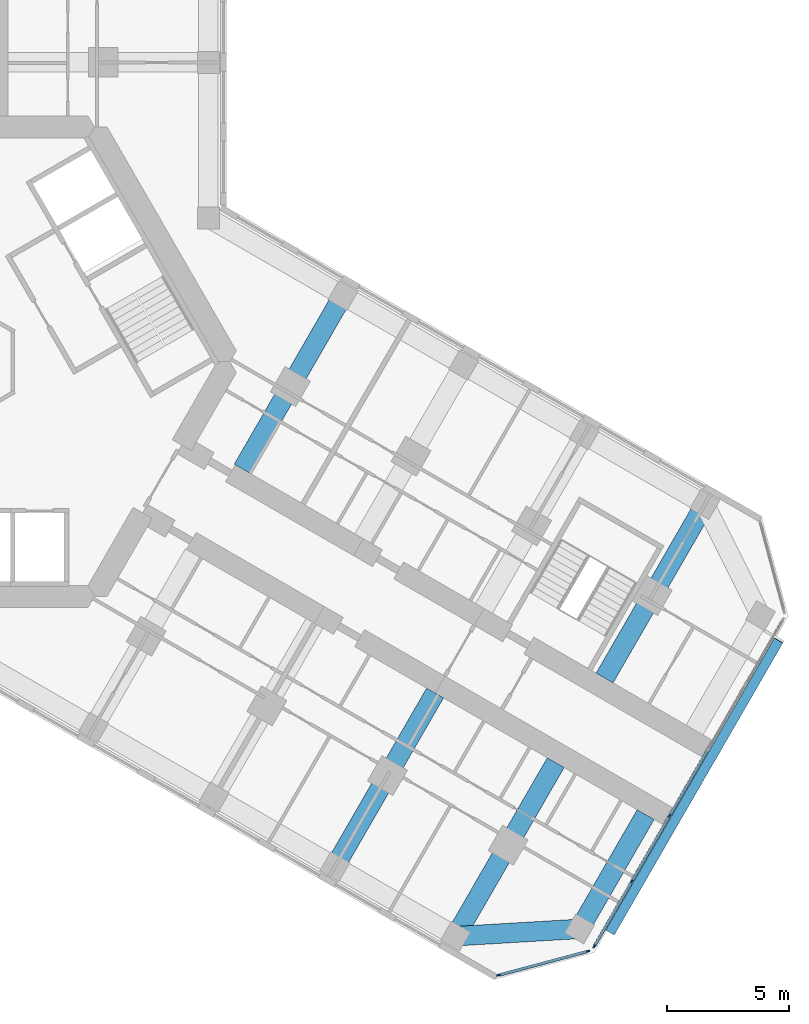
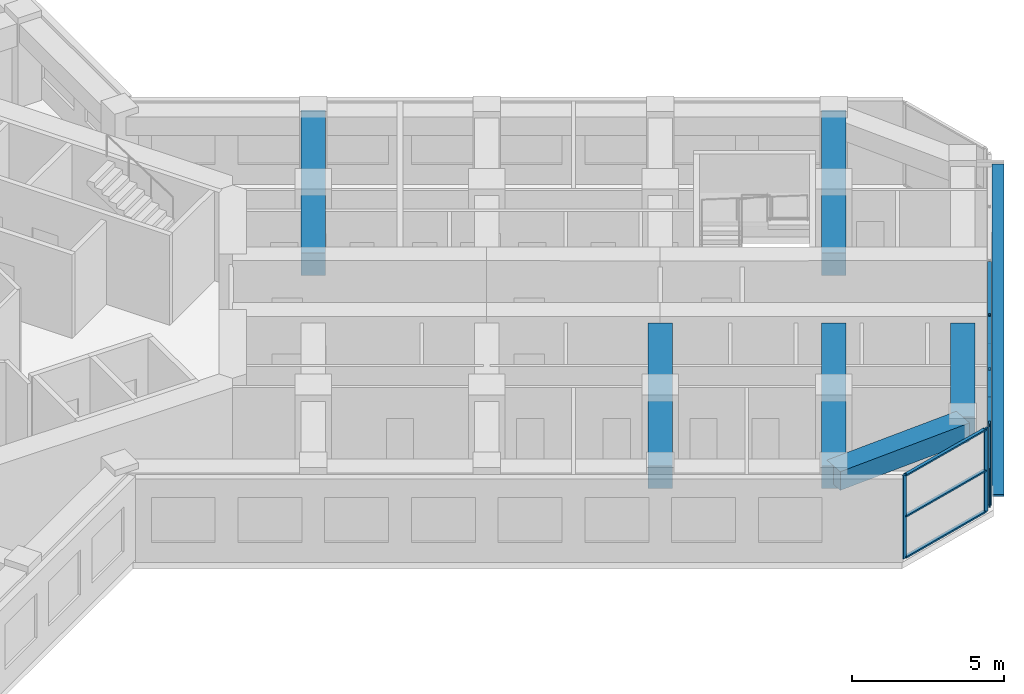
# One storey, part 5 of 19: 15 members, 6 beams, 2 elements without a shape of their own.
"""IFC4 building model written with IfcOpenShell, lengths in metres."""

from ifc_helpers import new_model, si_unit, direction, frame, origin, origin_2d, place, context, subcontext, project, spatial, rectangle, extrude, material, material_profile, profile_set, type_object, element, aggregate, save


model = new_model("IFC4")

# Units and contexts
model_context = context("Model", 3, precision=1e-05, world=origin(), true_north=direction((0.0, 1.0)))
body_context = subcontext(model_context, "Body", "Model", "MODEL_VIEW")
ifc_project = project(units=[si_unit("LENGTHUNIT", "METRE"), si_unit("AREAUNIT", "SQUARE_METRE"), si_unit("VOLUMEUNIT", "CUBIC_METRE"), si_unit("PLANEANGLEUNIT", "RADIAN"), si_unit("MASSUNIT", "GRAM", prefix="KILO")], contexts=[model_context])

# Site, building, storey
site_placement = place(None, origin())
site = spatial("IfcSite", under=ifc_project, at=site_placement, CompositionType="ELEMENT")
building_placement = place(site_placement, origin())
building = spatial("IfcBuilding", under=site, at=building_placement, Name="Kosmar Iwan School Tower", CompositionType="ELEMENT")
storey_placement = place(building_placement, frame((0.0, 0.0, 138.199951171875)))
storey = spatial("IfcBuildingStorey", under=building, at=storey_placement, Name="L34", CompositionType="ELEMENT", Elevation=138.199951171875)

# Member
ifc_material_1 = material(Name="Black anodised aluminium", Category="aluminium")
ifc_material_profile_1 = material_profile(ifc_material_1, rectangle(XDim=0.10009765625, YDim=0.39990234375, at=origin_2d()), Name="FIN 100x400")
ifc_profile_set_1 = profile_set([ifc_material_profile_1], Name="Black anodised aluminium")
member_type_1 = type_object("IfcMemberType", Name="Diagonal fin 100x400", PredefinedType="USERDEFINED", material=ifc_profile_set_1)
member_1_placement = place(storey_placement, frame((26.645263671875, -23.34912109375, -0.14990234375), z_axis=(0.483795538458, 0.837973939202, 0.252470897702), x_axis=(-0.126233699175, -0.218647221293, 0.967604488318)))
element("IfcMember", 1, at=member_1_placement, inside=storey, type_object=member_type_1, Name="Diagonal fin L34-F03", ObjectType="FIN", PredefinedType="USERDEFINED", context=body_context, shape_type="SweptSolid", body=[
    extrude(rectangle(XDim=0.10009765625, YDim=0.39990234375, at=origin_2d()), origin(), (0.0, 0.0, 1.0), 14.258544921875),
])

# Curtain wall, members
ifc_material_2 = material(Name="Dark glass in black aluminium frame", Category="aluminium")
curtain_wall_type_1 = type_object("IfcCurtainWallType", Name="Chamfer curtain wall dark glass", PredefinedType="USERDEFINED", material=ifc_material_2)
curtain_wall_1_placement = place(storey_placement, origin())
curtain_wall_1 = element("IfcCurtainWall", 2, at=curtain_wall_1_placement, inside=storey, type_object=curtain_wall_type_1, Name="Curtain wall L34-F02", ObjectType="FACETED CURTAIN WALL", PredefinedType="USERDEFINED")
ifc_material_3 = material(Name="Black anodised aluminium", Category="aluminium")
ifc_material_profile_2 = material_profile(ifc_material_3, rectangle(XDim=0.06005859375, YDim=0.159912109375, at=origin_2d()), Name="MULLION 60x160")
ifc_profile_set_2 = profile_set([ifc_material_profile_2], Name="Black anodised aluminium")
member_type_2 = type_object("IfcMemberType", Name="Mullion 60x160", PredefinedType="MULLION", material=ifc_profile_set_2)
member_2_placement = place(storey_placement, frame((22.0830078125, -25.102294921875, 0.0), z_axis=(0.0, 0.0, 1.0), x_axis=(-0.258818861462, 0.965925875495, 0.0)))
member_2 = element("IfcMember", 3, at=member_2_placement, type_object=member_type_2, Name="CW2 mullion 1", PredefinedType="MULLION", context=body_context, shape_type="SweptSolid", body=[
    extrude(rectangle(XDim=0.06005859375, YDim=0.159912109375, at=origin_2d()), origin(), (0.0, 0.0, 1.0), 3.35009765625),
])
member_3_placement = place(storey_placement, frame((25.733154296875, -24.124267578125, 0.0), z_axis=(0.0, 0.0, 1.0), x_axis=(-0.258818861462, 0.965925875495, 0.0)))
member_3 = element("IfcMember", 4, at=member_3_placement, type_object=member_type_2, Name="CW2 mullion 2", PredefinedType="MULLION", context=body_context, shape_type="SweptSolid", body=[
    extrude(rectangle(XDim=0.06005859375, YDim=0.159912109375, at=origin_2d()), origin(), (0.0, 0.0, 1.0), 3.35009765625),
])

ifc_material_4 = material(Name="Dark glass in black aluminium frame", Category="aluminium")
curtain_wall_type_2 = type_object("IfcCurtainWallType", Name="Tower curtain wall dark glass", PredefinedType="USERDEFINED", material=ifc_material_4)
curtain_wall_2_placement = place(storey_placement, origin())
curtain_wall_2 = element("IfcCurtainWall", 5, at=curtain_wall_2_placement, inside=storey, type_object=curtain_wall_type_2, Name="Curtain wall L34-F03", ObjectType="UNITISED CURTAIN WALL", PredefinedType="USERDEFINED")
member_4_placement = place(storey_placement, frame((25.9970703125, -23.921630859375, 0.0), z_axis=(0.0, 0.0, 1.0), x_axis=(-0.866025405329, 0.499999997325, 0.0)))
member_4 = element("IfcMember", 6, at=member_4_placement, type_object=member_type_2, Name="CW1 mullion 1", PredefinedType="MULLION", context=body_context, shape_type="SweptSolid", body=[
    extrude(rectangle(XDim=0.06005859375, YDim=0.159912109375, at=origin_2d()), origin(), (0.0, 0.0, 1.0), 3.35009765625),
])
member_5_placement = place(storey_placement, frame((27.53173828125, -21.263671875, 0.0), z_axis=(0.0, 0.0, 1.0), x_axis=(-0.866025405329, 0.499999997325, 0.0)))
member_5 = element("IfcMember", 7, at=member_5_placement, type_object=member_type_2, Name="CW1 mullion 2", PredefinedType="MULLION", context=body_context, shape_type="SweptSolid", body=[
    extrude(rectangle(XDim=0.06005859375, YDim=0.159912109375, at=origin_2d()), origin(), (0.0, 0.0, 1.0), 3.35009765625),
])
member_6_placement = place(storey_placement, frame((29.081298828125, -18.57958984375, 0.0), z_axis=(0.0, 0.0, 1.0), x_axis=(-0.866025405329, 0.499999997325, 0.0)))
member_6 = element("IfcMember", 8, at=member_6_placement, type_object=member_type_2, Name="CW1 mullion 3", PredefinedType="MULLION", context=body_context, shape_type="SweptSolid", body=[
    extrude(rectangle(XDim=0.06005859375, YDim=0.159912109375, at=origin_2d()), origin(), (0.0, 0.0, 1.0), 3.35009765625),
])

# Beams
ifc_material_5 = material(Name="Concrete C50/60", Category="concrete")
ifc_material_profile_3 = material_profile(ifc_material_5, rectangle(XDim=0.800048828125, YDim=0.75, at=origin_2d()), Name="RC 800x750")
ifc_profile_set_3 = profile_set([ifc_material_profile_3], Name="Concrete C50/60")
beam_type_1 = type_object("IfcBeamType", Name="RC tip beam 800x750", PredefinedType="BEAM", material=ifc_profile_set_3)
beam_1_placement = place(storey_placement, frame((20.31787109375, -23.508544921875, 2.97509765625), z_axis=(0.998260616478, 0.058955420358, 0.0), x_axis=(-0.058955420358, 0.998260616478, 0.0)))
element("IfcBeam", 9, at=beam_1_placement, inside=storey, type_object=beam_type_1, Name="Tip beam CR", PredefinedType="BEAM", context=body_context, shape_type="SweptSolid", body=[
    extrude(rectangle(XDim=0.800048828125, YDim=0.75, at=origin_2d()), origin(), (0.0, 0.0, 1.0), 5.08935546875),
])
beam_2_placement = place(storey_placement, frame((25.3984375, -23.20849609375, 2.97509765625), z_axis=(0.499995103361, 0.866028230842, 0.0), x_axis=(-0.866028230842, 0.499995103361, 0.0)))
element("IfcBeam", 10, at=beam_2_placement, inside=storey, type_object=beam_type_1, Name="Tip beam CR to corridor wall", PredefinedType="BEAM", context=body_context, shape_type="SweptSolid", body=[
    extrude(rectangle(XDim=0.800048828125, YDim=0.75, at=origin_2d()), origin(), (0.0, 0.0, 1.0), 5.39990234375),
])
ifc_material_6 = material(Name="Concrete C50/60", Category="concrete")
ifc_material_profile_4 = material_profile(ifc_material_6, rectangle(XDim=0.800048828125, YDim=0.89990234375, at=origin_2d()), Name="RC 800x900")
ifc_profile_set_4 = profile_set([ifc_material_profile_4], Name="Concrete C50/60")
beam_type_2 = type_object("IfcBeamType", Name="RC transverse beam 800x900", PredefinedType="BEAM", material=ifc_profile_set_4)
for number, where, z_axis, x_axis, name in (
    (11, (15.708740234375, 2.70849609375, 2.900146484375), (-0.499978459874, -0.866037839625, 0.0), (0.866037839625, -0.499978459874, 0.0), "Transverse beam CL1"),
    (12, (30.517822265625, -5.841552734375, 2.900146484375), (-0.500013681986, -0.866017504342, 0.0), (0.866017504342, -0.500013681986, 0.0), "Transverse beam CL4"),
    (13, (15.381591796875, -20.658447265625, 2.900146484375), (0.49999135188, 0.866030396721, 0.0), (-0.866030396721, 0.49999135188, 0.0), "Transverse beam CR3"),
    (14, (20.31787109375, -23.508544921875, 2.900146484375), (0.499978459874, 0.866037839625, 0.0), (-0.866037839625, 0.499978459874, 0.0), "Transverse beam CR4"),
):
    element("IfcBeam", number, at=place(storey_placement, frame(where, z_axis=z_axis, x_axis=x_axis)), inside=storey, type_object=beam_type_2, Name=name, PredefinedType="BEAM", context=body_context, shape_type="SweptSolid", body=[
        extrude(rectangle(XDim=0.800048828125, YDim=0.89990234375, at=origin_2d()), origin(), (0.0, 0.0, 1.0), 8.199951171875),
    ])

# Member
ifc_material_7 = material(Name="Black anodised aluminium", Category="aluminium")
ifc_material_profile_5 = material_profile(ifc_material_7, rectangle(XDim=0.1201171875, YDim=0.06005859375, at=origin_2d()), Name="TRANSOM 60x120")
ifc_profile_set_5 = profile_set([ifc_material_profile_5], Name="Black anodised aluminium")
member_type_3 = type_object("IfcMemberType", Name="Transom 60x120", PredefinedType="USERDEFINED", material=ifc_profile_set_5)
member_7_placement = place(storey_placement, frame((22.11181640625, -25.094482421875, 0.030029296875), z_axis=(0.965923731726, 0.258826861991, 0.0), x_axis=(-0.258826861991, 0.965923731726, 0.0)))
member_7 = element("IfcMember", 15, at=member_7_placement, type_object=member_type_3, Name="CW2 transom 1.1", ObjectType="TRANSOM", PredefinedType="USERDEFINED", context=body_context, shape_type="SweptSolid", body=[
    extrude(rectangle(XDim=0.1201171875, YDim=0.06005859375, at=origin_2d()), origin(), (0.0, 0.0, 1.0), 3.71923828125),
])

member_8_placement = place(storey_placement, frame((22.11181640625, -25.094482421875, 1.675048828125), z_axis=(0.965923731726, 0.258826861991, 0.0), x_axis=(-0.258826861991, 0.965923731726, 0.0)))
member_8 = element("IfcMember", 16, at=member_8_placement, type_object=member_type_3, Name="CW2 transom 1.2", ObjectType="TRANSOM", PredefinedType="USERDEFINED", context=body_context, shape_type="SweptSolid", body=[
    extrude(rectangle(XDim=0.1201171875, YDim=0.06005859375, at=origin_2d()), origin(), (0.0, 0.0, 1.0), 3.71923828125),
])

member_9_placement = place(storey_placement, frame((22.11181640625, -25.094482421875, 3.320068359375), z_axis=(0.965923731726, 0.258826861991, 0.0), x_axis=(-0.258826861991, 0.965923731726, 0.0)))
member_9 = element("IfcMember", 17, at=member_9_placement, type_object=member_type_3, Name="CW2 transom 1.3", ObjectType="TRANSOM", PredefinedType="USERDEFINED", context=body_context, shape_type="SweptSolid", body=[
    extrude(rectangle(XDim=0.1201171875, YDim=0.06005859375, at=origin_2d()), origin(), (0.0, 0.0, 1.0), 3.71923828125),
])

aggregate(curtain_wall_1, [member_2, member_3, member_7, member_8, member_9])

member_10_placement = place(storey_placement, frame((26.01220703125, -23.895751953125, 0.030029296875), z_axis=(0.499986971506, 0.866032925658, 0.0), x_axis=(-0.866032925658, 0.499986971506, 0.0)))
member_10 = element("IfcMember", 18, at=member_10_placement, type_object=member_type_3, Name="CW1 transom 1.1", ObjectType="TRANSOM", PredefinedType="USERDEFINED", context=body_context, shape_type="SweptSolid", body=[
    extrude(rectangle(XDim=0.1201171875, YDim=0.06005859375, at=origin_2d()), origin(), (0.0, 0.0, 1.0), 3.00927734375),
])

member_11_placement = place(storey_placement, frame((26.01220703125, -23.895751953125, 3.320068359375), z_axis=(0.499986971506, 0.866032925658, 0.0), x_axis=(-0.866032925658, 0.499986971506, 0.0)))
member_11 = element("IfcMember", 19, at=member_11_placement, type_object=member_type_3, Name="CW1 transom 1.2", ObjectType="TRANSOM", PredefinedType="USERDEFINED", context=body_context, shape_type="SweptSolid", body=[
    extrude(rectangle(XDim=0.1201171875, YDim=0.06005859375, at=origin_2d()), origin(), (0.0, 0.0, 1.0), 3.00927734375),
])

member_12_placement = place(storey_placement, frame((27.546875, -21.237548828125, 0.030029296875), z_axis=(0.499975102327, 0.866039777986, 0.0), x_axis=(-0.866039777986, 0.499975102327, 0.0)))
member_12 = element("IfcMember", 20, at=member_12_placement, type_object=member_type_3, Name="CW1 transom 2.1", ObjectType="TRANSOM", PredefinedType="USERDEFINED", context=body_context, shape_type="SweptSolid", body=[
    extrude(rectangle(XDim=0.1201171875, YDim=0.06005859375, at=origin_2d()), origin(), (0.0, 0.0, 1.0), 3.039306640625),
])

member_13_placement = place(storey_placement, frame((27.546875, -21.237548828125, 3.320068359375), z_axis=(0.499975102327, 0.866039777986, 0.0), x_axis=(-0.866039777986, 0.499975102327, 0.0)))
member_13 = element("IfcMember", 21, at=member_13_placement, type_object=member_type_3, Name="CW1 transom 2.2", ObjectType="TRANSOM", PredefinedType="USERDEFINED", context=body_context, shape_type="SweptSolid", body=[
    extrude(rectangle(XDim=0.1201171875, YDim=0.06005859375, at=origin_2d()), origin(), (0.0, 0.0, 1.0), 3.039306640625),
])

member_14_placement = place(storey_placement, frame((29.096435546875, -18.553466796875, 0.030029296875), z_axis=(0.499975102327, 0.866039777986, 0.0), x_axis=(-0.866039777986, 0.499975102327, 0.0)))
member_14 = element("IfcMember", 22, at=member_14_placement, type_object=member_type_3, Name="CW1 transom 3.1", ObjectType="TRANSOM", PredefinedType="USERDEFINED", context=body_context, shape_type="SweptSolid", body=[
    extrude(rectangle(XDim=0.1201171875, YDim=0.06005859375, at=origin_2d()), origin(), (0.0, 0.0, 1.0), 3.039306640625),
])

member_15_placement = place(storey_placement, frame((29.096435546875, -18.553466796875, 3.320068359375), z_axis=(0.499975102327, 0.866039777986, 0.0), x_axis=(-0.866039777986, 0.499975102327, 0.0)))
member_15 = element("IfcMember", 23, at=member_15_placement, type_object=member_type_3, Name="CW1 transom 3.2", ObjectType="TRANSOM", PredefinedType="USERDEFINED", context=body_context, shape_type="SweptSolid", body=[
    extrude(rectangle(XDim=0.1201171875, YDim=0.06005859375, at=origin_2d()), origin(), (0.0, 0.0, 1.0), 3.039306640625),
])

aggregate(curtain_wall_2, [member_4, member_5, member_6, member_10, member_11, member_12, member_13, member_14, member_15])

save(model, "model.ifc")
